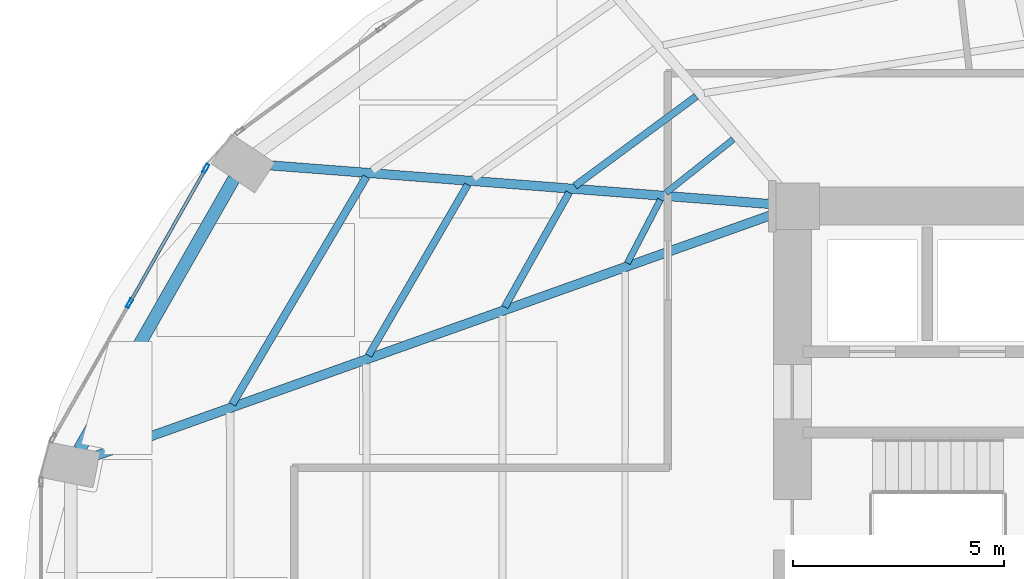
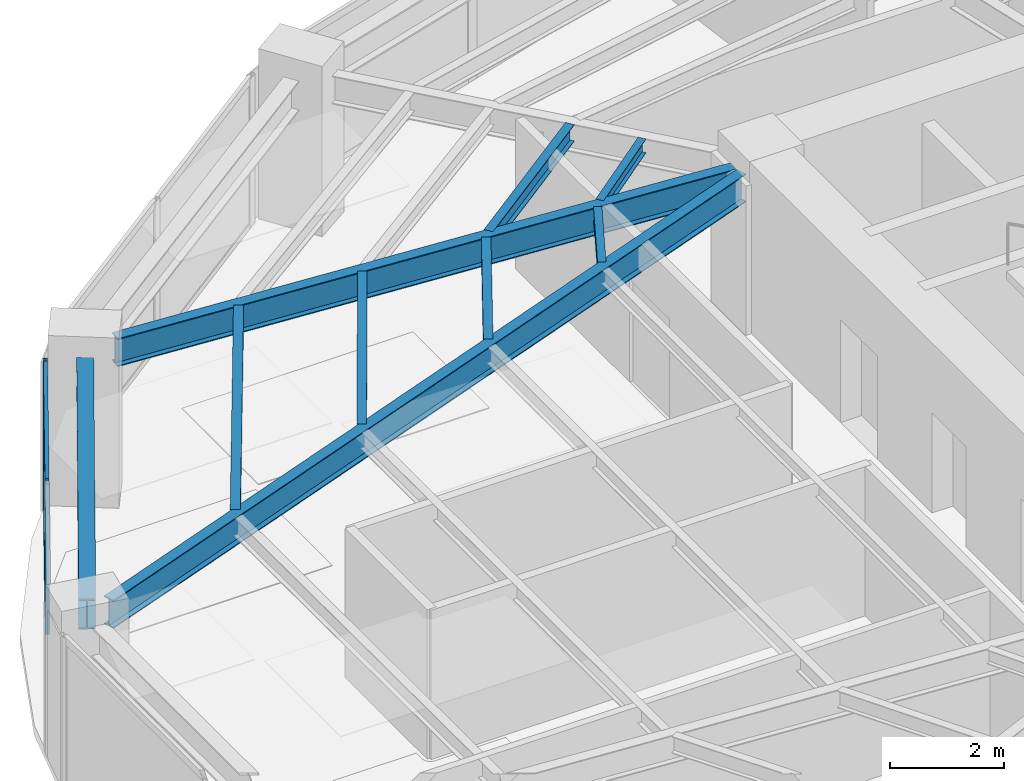
# One storey, part 8 of 24: 9 beams, 4 members, 1 element without a shape of its own.
"""IFC4 building model written with IfcOpenShell, lengths in metres."""

import ifcopenshell
import ifcopenshell.guid

model = None  # the IFC model being written
_history = None  # IfcOwnerHistory: only IFC2X3 demands one
_inside = {}  # id of a spatial element -> (the spatial element, [elements in it])
_under = {}  # id of a project, library or spatial element -> (it, [spatial elements below it])
_declared = {}  # id of a project -> (the project, [libraries it declares])
_typed = {}  # id of a type object -> (the type object, [elements of that type])
_made_of = {}  # id of a material, layer set ... -> (it, [elements and type objects made of it])


def new_model(schema):
    """Start an empty IFC model of exactly this schema.

    Asked for "IFC4X3", IfcOpenShell would pick the latest addendum, in which some entities
    have other attributes; the version numbers below select the first issue.
    IFC2X3 requires an IfcOwnerHistory on every rooted entity: one is made here for all.
    """
    global model, _history
    if schema == "IFC4X3":
        model = ifcopenshell.file(schema_version=(4, 3, 0, 0))
    else:
        model = ifcopenshell.file(schema=schema)
    _inside.clear()
    _under.clear()
    _declared.clear()
    _typed.clear()
    _made_of.clear()
    _history = None
    if model.schema == "IFC2X3":
        org = make("IfcOrganization", Name="unknown")
        user = make(
            "IfcPersonAndOrganization",
            ThePerson=make("IfcPerson", FamilyName="unknown"),
            TheOrganization=org,
        )
        app = make(
            "IfcApplication",
            ApplicationDeveloper=org,
            Version="unknown",
            ApplicationFullName="unknown",
            ApplicationIdentifier="unknown",
        )
        _history = make(
            "IfcOwnerHistory",
            OwningUser=user,
            OwningApplication=app,
            ChangeAction="ADDED",
            CreationDate=0,
        )
    return model


def make(cls, **values):
    """One entity of the class cls with the attributes given. An attribute that is None is left unset."""
    return model.create_entity(
        cls, **{name: value for name, value in values.items() if value is not None}
    )


def rooted(cls, **values):
    """An entity with a GlobalId (a new one), such as an element, a storey or a relation."""
    return make(cls, GlobalId=ifcopenshell.guid.new(), OwnerHistory=_history, **values)


def si_unit(unit_type, name, prefix=None):
    """IfcSIUnit, for example si_unit("LENGTHUNIT", "METRE", prefix="MILLI")."""
    return make("IfcSIUnit", UnitType=unit_type, Prefix=prefix, Name=name)


def assignment(units):
    """IfcUnitAssignment: the units of a project."""
    return None if units is None else make("IfcUnitAssignment", Units=units)


def point(xyz):
    """IfcCartesianPoint."""
    return None if xyz is None else make("IfcCartesianPoint", Coordinates=xyz)


def direction(xyz):
    """IfcDirection."""
    return None if xyz is None else make("IfcDirection", DirectionRatios=xyz)


def frame(location, z_axis=None, x_axis=None):
    """IfcAxis2Placement3D, a coordinate frame: its origin and axes. An axis left out is left unset."""
    return make(
        "IfcAxis2Placement3D",
        Location=point(location),
        Axis=direction(z_axis),
        RefDirection=direction(x_axis),
    )


def frame_2d(location, x_axis=None):
    """IfcAxis2Placement2D, a coordinate frame in the plane: its origin and x axis."""
    return make(
        "IfcAxis2Placement2D", Location=point(location), RefDirection=direction(x_axis)
    )


def origin():
    """The frame at (0, 0, 0) with its axes left unset."""
    return frame((0.0, 0.0, 0.0))


def origin_2d():
    """The frame at (0, 0) in the plane with its x axis left unset."""
    return frame_2d((0.0, 0.0))


def place(relative_to, where):
    """IfcLocalPlacement: puts the frame where relative to a parent placement (None: the world)."""
    return make(
        "IfcLocalPlacement", PlacementRelTo=relative_to, RelativePlacement=where
    )


def context(
    kind, dimensions, precision=None, world=None, true_north=None, identifier=None
):
    """IfcGeometricRepresentationContext, for example the 3D "Model" context."""
    return make(
        "IfcGeometricRepresentationContext",
        ContextIdentifier=identifier,
        ContextType=kind,
        CoordinateSpaceDimension=dimensions,
        Precision=precision,
        WorldCoordinateSystem=world,
        TrueNorth=true_north,
    )


def subcontext(parent, identifier, kind, view, scale=None):
    """IfcGeometricRepresentationSubContext, for example "Body" below "Model"."""
    return make(
        "IfcGeometricRepresentationSubContext",
        ContextIdentifier=identifier,
        ContextType=kind,
        ParentContext=parent,
        TargetScale=scale,
        TargetView=view,
    )


def project(units=None, contexts=None):
    """IfcProject with its units and contexts."""
    return rooted(
        "IfcProject",
        Name="project",
        RepresentationContexts=contexts,
        UnitsInContext=assignment(units),
    )


def spatial(cls, under=None, at=None, **own):
    """A site, building, storey or space (cls), placed at a placement, below another one or the project."""
    s = rooted(cls, ObjectPlacement=at, **own)
    if under is not None:
        _under.setdefault(under.id(), (under, []))[1].append(s)
    return s


def profile(cls, at=None, kind="AREA", **sizes):
    """A parametric profile (cls). Its sizes go by their IFC names, for example OverallWidth=200.0."""
    return make(cls, ProfileType=kind, Position=at, **sizes)


def hollow_rectangle(**sizes):
    """IfcRectangleHollowProfileDef."""
    return profile("IfcRectangleHollowProfileDef", **sizes)


def i_section(**sizes):
    """IfcIShapeProfileDef."""
    return profile("IfcIShapeProfileDef", **sizes)


def extrude(swept, where, along, depth):
    """IfcExtrudedAreaSolid: the profile swept, set in the frame where, extruded along a direction by depth."""
    return make(
        "IfcExtrudedAreaSolid",
        SweptArea=swept,
        Position=where,
        ExtrudedDirection=direction(along),
        Depth=depth,
    )


def shape(context_of_items, identifier, shape_type, items):
    """IfcShapeRepresentation: the items that make up one representation, for example the "Body"."""
    return make(
        "IfcShapeRepresentation",
        ContextOfItems=context_of_items,
        RepresentationIdentifier=identifier,
        RepresentationType=shape_type,
        Items=items,
    )


def material(Name=None, Category=None):
    """IfcMaterial."""
    return make("IfcMaterial", Name=Name, Category=Category)


def layer(
    of_material, thickness, ventilated=None, Name=None, Category=None, Priority=None
):
    """IfcMaterialLayer: one layer of a wall or slab, of a material (None: an air gap)."""
    return make(
        "IfcMaterialLayer",
        Material=of_material,
        LayerThickness=thickness,
        IsVentilated=ventilated,
        Name=Name,
        Category=Category,
        Priority=Priority,
    )


def layer_set(layers, Name=None):
    """IfcMaterialLayerSet."""
    return make("IfcMaterialLayerSet", MaterialLayers=layers, LayerSetName=Name)


def material_profile(
    of_material, cross_section, Name=None, Category=None, Priority=None
):
    """IfcMaterialProfile: a cross section and its material."""
    return make(
        "IfcMaterialProfile",
        Name=Name,
        Material=of_material,
        Profile=cross_section,
        Priority=Priority,
        Category=Category,
    )


def profile_set(profiles, Name=None, composite=None):
    """IfcMaterialProfileSet."""
    return make(
        "IfcMaterialProfileSet",
        Name=Name,
        MaterialProfiles=profiles,
        CompositeProfile=composite,
    )


def made_of(thing, what):
    """Note that an element or type object is made of a material, layer set ...; save() writes the relation."""
    if what is not None:
        _made_of.setdefault(what.id(), (what, []))[1].append(thing)
    return thing


def type_object(cls, material=None, **own):
    """A type object (cls), such as IfcWallType, which elements share."""
    return made_of(rooted(cls, **own), material)


def element(
    cls,
    number,
    at=None,
    inside=None,
    cuts=None,
    type_object=None,
    material=None,
    context=None,
    identifier="Body",
    shape_type=None,
    held_by="IfcProductDefinitionShape",
    body=None,
    shapes=None,
    **own,
):
    """One element of the class cls, such as IfcWall. Its Tag is "e" and its number.

    at: its placement. inside: the storey or other place that contains it. cuts: it is an
    opening in that element (IfcRelVoidsElement). A single representation is given by context,
    identifier, shape_type and body (its items); several are given by shapes. held_by: the class
    of the entity that holds the representations. save() writes the other relations.
    """
    e = rooted(cls, Tag="e%d" % number, ObjectPlacement=at, **own)
    if body is not None:
        shapes = [shape(context, identifier, shape_type, body)]
    if shapes is not None:
        e.Representation = make(held_by, Representations=shapes)
    if inside is not None:
        _inside.setdefault(inside.id(), (inside, []))[1].append(e)
    if cuts is not None:
        rooted(
            "IfcRelVoidsElement", RelatingBuildingElement=cuts, RelatedOpeningElement=e
        )
    if type_object is not None:
        _typed.setdefault(type_object.id(), (type_object, []))[1].append(e)
    return made_of(e, material)


def aggregate(whole, parts):
    """IfcRelAggregates: a whole, such as a stair, and the parts it consists of."""
    return rooted("IfcRelAggregates", RelatingObject=whole, RelatedObjects=parts)


def save(model, path):
    """Write the relations noted so far, then the file.

    IfcRelAggregates (storeys below a building ...), IfcRelContainedInSpatialStructure (elements
    in a storey), IfcRelDefinesByType, IfcRelAssociatesMaterial and IfcRelDeclares: one each for
    every whole, place, type object, material and project.
    """
    for whole, parts in _under.values():
        aggregate(whole, parts)
    for where, things in _inside.values():
        rooted(
            "IfcRelContainedInSpatialStructure",
            RelatedElements=things,
            RelatingStructure=where,
        )
    for kind, things in _typed.values():
        rooted("IfcRelDefinesByType", RelatedObjects=things, RelatingType=kind)
    for what, things in _made_of.values():
        rooted("IfcRelAssociatesMaterial", RelatedObjects=things, RelatingMaterial=what)
    for by, libraries in _declared.values():
        rooted("IfcRelDeclares", RelatingContext=by, RelatedDefinitions=libraries)
    model.write(path)


model = new_model("IFC4")

# Units and contexts
model_context = context("Model", 3, precision=1e-05, world=origin(), true_north=direction((0.0, 1.0)))
body_context = subcontext(model_context, "Body", "Model", "MODEL_VIEW")
ifc_project = project(units=[si_unit("LENGTHUNIT", "METRE"), si_unit("AREAUNIT", "SQUARE_METRE"), si_unit("VOLUMEUNIT", "CUBIC_METRE"), si_unit("PLANEANGLEUNIT", "RADIAN"), si_unit("MASSUNIT", "GRAM", prefix="KILO")], contexts=[model_context])

# Site, building, storey
site_placement = place(None, origin())
site = spatial("IfcSite", under=ifc_project, at=site_placement, CompositionType="ELEMENT")
building_placement = place(site_placement, origin())
building = spatial("IfcBuilding", under=site, at=building_placement, Name="Lazwardi Medical Tower", CompositionType="ELEMENT")
storey_placement = place(building_placement, frame((0.0, 0.0, 72.6240234375)))
storey = spatial("IfcBuildingStorey", under=building, at=storey_placement, Name="L18", CompositionType="ELEMENT", Elevation=72.6240234375)

# Beams
ifc_material_1 = material(Name="Steel S355", Category="steel")
ifc_material_profile_1 = material_profile(ifc_material_1, i_section(OverallWidth=0.300048828125, OverallDepth=0.64990234375, WebThickness=0.01611328125, FlangeThickness=0.031005859375, at=origin_2d()), Name="HEB 650")
ifc_profile_set_1 = profile_set([ifc_material_profile_1], Name="Steel S355")
beam_type_1 = type_object("IfcBeamType", Name="BM-RB-Z1", PredefinedType="BEAM", material=ifc_profile_set_1)
beam_1_placement = place(storey_placement, frame((13.072021484375, 36.24951171875, 2.873046875), z_axis=(-0.495829348644, -0.868419977328, 0.0), x_axis=(0.868419977328, -0.495829348644, 0.0)))
element("IfcBeam", 1, at=beam_1_placement, inside=storey, type_object=beam_type_1, Name="Ring beam RB-02 B11 L18", PredefinedType="BEAM", context=body_context, shape_type="SweptSolid", body=[
    extrude(i_section(OverallWidth=0.300048828125, OverallDepth=0.64990234375, WebThickness=0.01611328125, FlangeThickness=0.031005859375, at=origin_2d()), origin(), (0.0, 0.0, 1.0), 7.38916015625),
])
ifc_material_profile_2 = material_profile(ifc_material_1, i_section(OverallWidth=0.219970703125, OverallDepth=0.60009765625, WebThickness=0.011962890625, FlangeThickness=0.01904296875, at=origin_2d()), Name="IPE 600")
ifc_profile_set_2 = profile_set([ifc_material_profile_2], Name="Steel S355")
beam_type_2 = type_object("IfcBeamType", Name="BM-RG-W1", PredefinedType="BEAM", material=ifc_profile_set_2)
beam_2_placement = place(storey_placement, frame((13.8583984375, 36.569580078125, 2.89794921875), z_axis=(0.997024241118, -0.077088667283, 0.0), x_axis=(0.077088667283, 0.997024241118, 0.0)))
element("IfcBeam", 2, at=beam_2_placement, inside=storey, type_object=beam_type_2, Name="Radial girder RG-02 R11 L18", PredefinedType="BEAM", context=body_context, shape_type="SweptSolid", body=[
    extrude(i_section(OverallWidth=0.219970703125, OverallDepth=0.60009765625, WebThickness=0.011962890625, FlangeThickness=0.01904296875, at=origin_2d()), origin(), (0.0, 0.0, 1.0), 12.044189453125),
])
beam_3_placement = place(storey_placement, frame((9.746337890625, 29.66259765625, 2.89794921875), z_axis=(0.941925080425, 0.335823082688, 0.0), x_axis=(-0.335823082688, 0.941925080425, 0.0)))
element("IfcBeam", 3, at=beam_3_placement, inside=storey, type_object=beam_type_2, Name="Radial girder RG-02 R12 L18", PredefinedType="BEAM", context=body_context, shape_type="SweptSolid", body=[
    extrude(i_section(OverallWidth=0.219970703125, OverallDepth=0.60009765625, WebThickness=0.011962890625, FlangeThickness=0.01904296875, at=origin_2d()), origin(), (0.0, 0.0, 1.0), 17.145263671875),
])
ifc_material_profile_3 = material_profile(ifc_material_1, i_section(OverallWidth=0.179931640625, OverallDepth=0.39990234375, WebThickness=0.008544921875, FlangeThickness=0.013427734375, at=origin_2d()), Name="IPE 400")
ifc_profile_set_3 = profile_set([ifc_material_profile_3], Name="Steel S355")
beam_type_3 = type_object("IfcBeamType", Name="BM-SJ-01", PredefinedType="JOIST", material=ifc_profile_set_3)
beam_4_placement = place(storey_placement, frame((16.206787109375, 36.29345703125, 2.998046875), z_axis=(-0.507886270937, -0.861424132349, 0.0), x_axis=(0.861424132349, -0.507886270937, 0.0)))
element("IfcBeam", 4, at=beam_4_placement, inside=storey, type_object=beam_type_3, Name="Secondary joist SJ-01 R1 B11 L18", PredefinedType="JOIST", context=body_context, shape_type="SweptSolid", body=[
    extrude(i_section(OverallWidth=0.179931640625, OverallDepth=0.39990234375, WebThickness=0.008544921875, FlangeThickness=0.013427734375, at=origin_2d()), origin(), (0.0, 0.0, 1.0), 6.255859375),
])
ifc_material_profile_4 = material_profile(ifc_material_1, i_section(OverallWidth=0.169921875, OverallDepth=0.360107421875, WebThickness=0.008056640625, FlangeThickness=0.0126953125, at=origin_2d()), Name="IPE 360")
ifc_profile_set_4 = profile_set([ifc_material_profile_4], Name="Steel S355")
beam_type_4 = type_object("IfcBeamType", Name="BM-SJ-02", PredefinedType="JOIST", material=ifc_profile_set_4)
beam_5_placement = place(storey_placement, frame((18.60888671875, 36.107421875, 3.01806640625), z_axis=(-0.501798442848, -0.86498457949, 0.0), x_axis=(0.86498457949, -0.501798442848, 0.0)))
element("IfcBeam", 5, at=beam_5_placement, inside=storey, type_object=beam_type_4, Name="Secondary joist SJ-02 R2 B11 L18", PredefinedType="JOIST", context=body_context, shape_type="SweptSolid", body=[
    extrude(i_section(OverallWidth=0.169921875, OverallDepth=0.360107421875, WebThickness=0.008056640625, FlangeThickness=0.0126953125, at=origin_2d()), origin(), (0.0, 0.0, 1.0), 4.683349609375),
])
beam_6_placement = place(storey_placement, frame((24.025146484375, 38.19873046875, 3.01806640625), z_axis=(-0.804580292353, -0.593843879448, 0.0), x_axis=(0.593843879448, -0.804580292353, 0.0)))
element("IfcBeam", 6, at=beam_6_placement, inside=storey, type_object=beam_type_4, Name="Secondary joist SJ-02 R3 B10 L18", PredefinedType="JOIST", context=body_context, shape_type="SweptSolid", body=[
    extrude(i_section(OverallWidth=0.169921875, OverallDepth=0.360107421875, WebThickness=0.008056640625, FlangeThickness=0.0126953125, at=origin_2d()), origin(), (0.0, 0.0, 1.0), 3.576416015625),
])
beam_7_placement = place(storey_placement, frame((21.011962890625, 35.9208984375, 3.01806640625), z_axis=(-0.489974339037, -0.87173685656, 0.0), x_axis=(0.87173685656, -0.489974339037, 0.0)))
element("IfcBeam", 7, at=beam_7_placement, inside=storey, type_object=beam_type_4, Name="Secondary joist SJ-02 R3 B11 L18", PredefinedType="JOIST", context=body_context, shape_type="SweptSolid", body=[
    extrude(i_section(OverallWidth=0.169921875, OverallDepth=0.360107421875, WebThickness=0.008056640625, FlangeThickness=0.0126953125, at=origin_2d()), origin(), (0.0, 0.0, 1.0), 3.111328125),
])
ifc_material_profile_5 = material_profile(ifc_material_1, i_section(OverallWidth=0.14990234375, OverallDepth=0.300048828125, WebThickness=0.007080078125, FlangeThickness=0.0107421875, at=origin_2d()), Name="IPE 300")
ifc_profile_set_5 = profile_set([ifc_material_profile_5], Name="Steel S355")
beam_type_5 = type_object("IfcBeamType", Name="BM-SJ-03", PredefinedType="JOIST", material=ifc_profile_set_5)
beam_8_placement = place(storey_placement, frame((24.901123046875, 37.1806640625, 3.048095703125), z_axis=(-0.782210957226, -0.623013658274, 0.0), x_axis=(0.623013658274, -0.782210957226, 0.0)))
element("IfcBeam", 8, at=beam_8_placement, inside=storey, type_object=beam_type_5, Name="Secondary joist SJ-03 R4 B10 L18", PredefinedType="JOIST", context=body_context, shape_type="SweptSolid", body=[
    extrude(i_section(OverallWidth=0.14990234375, OverallDepth=0.300048828125, WebThickness=0.007080078125, FlangeThickness=0.0107421875, at=origin_2d()), origin(), (0.0, 0.0, 1.0), 2.0380859375),
])
beam_9_placement = place(storey_placement, frame((23.17626953125, 35.752197265625, 3.048095703125), z_axis=(-0.462162985948, -0.88679500135, 0.0), x_axis=(0.88679500135, -0.462162985948, 0.0)))
element("IfcBeam", 9, at=beam_9_placement, inside=storey, type_object=beam_type_5, Name="Secondary joist SJ-03 R4 B11 L18", PredefinedType="JOIST", context=body_context, shape_type="SweptSolid", body=[
    extrude(i_section(OverallWidth=0.14990234375, OverallDepth=0.300048828125, WebThickness=0.007080078125, FlangeThickness=0.0107421875, at=origin_2d()), origin(), (0.0, 0.0, 1.0), 1.69775390625),
])

# Curtain wall, members
ifc_material_2 = material(Name="Anodised bronze aluminium and solar control glazing", Category="aluminium")
ifc_layer = layer(ifc_material_2, 0.199951171875)
ifc_layer_set = layer_set([ifc_layer], Name="Anodised bronze aluminium and solar control glazing")
curtain_wall_type = type_object("IfcCurtainWallType", Name="CW-SYS-02", PredefinedType="NOTDEFINED", material=ifc_layer_set)
curtain_wall_placement = place(storey_placement, origin())
curtain_wall = element("IfcCurtainWall", 10, at=curtain_wall_placement, inside=storey, type_object=curtain_wall_type, Name="L18 Unitised bronze curtain wall CW-02", PredefinedType="NOTDEFINED")
ifc_material_3 = material(Name="Anodised bronze aluminium", Category="aluminium")
ifc_material_profile_6 = material_profile(ifc_material_3, hollow_rectangle(XDim=0.074951171875, YDim=0.219970703125, WallThickness=0.00390625, at=origin_2d()), Name="ALU-MULLION 220x75x4")
ifc_profile_set_6 = profile_set([ifc_material_profile_6], Name="Anodised bronze aluminium")
member_type_1 = type_object("IfcMemberType", Name="CW-MUL-01", PredefinedType="MULLION", material=ifc_profile_set_6)
member_1_placement = place(storey_placement, frame((12.4033203125, 36.488525390625, 0.0), z_axis=(0.0, 0.0, 1.0), x_axis=(0.870111838823, -0.492854327303, 0.0)))
member_1 = element("IfcMember", 11, at=member_1_placement, type_object=member_type_1, Name="CW-02 mullion 1", PredefinedType="MULLION", context=body_context, shape_type="SweptSolid", body=[
    extrude(hollow_rectangle(XDim=0.074951171875, YDim=0.219970703125, WallThickness=0.00390625, at=origin_2d()), origin(), (0.0, 0.0, 1.0), 3.197998046875),
])
member_2_placement = place(storey_placement, frame((10.5947265625, 33.29541015625, 0.0), z_axis=(0.0, 0.0, 1.0), x_axis=(0.870111838823, -0.492854327303, 0.0)))
member_2 = element("IfcMember", 12, at=member_2_placement, type_object=member_type_1, Name="CW-02 mullion 2", PredefinedType="MULLION", context=body_context, shape_type="SweptSolid", body=[
    extrude(hollow_rectangle(XDim=0.074951171875, YDim=0.219970703125, WallThickness=0.00390625, at=origin_2d()), origin(), (0.0, 0.0, 1.0), 3.197998046875),
])
ifc_material_profile_7 = material_profile(ifc_material_3, hollow_rectangle(XDim=0.074951171875, YDim=0.159912109375, WallThickness=0.00390625, at=origin_2d()), Name="ALU-TRANSOM 160x75x4")
ifc_profile_set_7 = profile_set([ifc_material_profile_7], Name="Anodised bronze aluminium")
member_type_2 = type_object("IfcMemberType", Name="CW-TRN-01", PredefinedType="USERDEFINED", material=ifc_profile_set_7)
member_3_placement = place(storey_placement, frame((12.384765625, 36.4560546875, 0.03759765625), z_axis=(-0.49285148925, -0.870113446365, 0.0), x_axis=(0.870113446365, -0.49285148925, 0.0)))
member_3 = element("IfcMember", 13, at=member_3_placement, type_object=member_type_2, Name="CW-02 transom 1.1", ObjectType="TRANSOM", PredefinedType="USERDEFINED", context=body_context, shape_type="SweptSolid", body=[
    extrude(hollow_rectangle(XDim=0.074951171875, YDim=0.159912109375, WallThickness=0.00390625, at=origin_2d()), origin(), (0.0, 0.0, 1.0), 3.594970703125),
])
member_4_placement = place(storey_placement, frame((12.384765625, 36.4560546875, 3.160400390625), z_axis=(-0.49285148925, -0.870113446365, 0.0), x_axis=(0.870113446365, -0.49285148925, 0.0)))
member_4 = element("IfcMember", 14, at=member_4_placement, type_object=member_type_2, Name="CW-02 transom 1.2", ObjectType="TRANSOM", PredefinedType="USERDEFINED", context=body_context, shape_type="SweptSolid", body=[
    extrude(hollow_rectangle(XDim=0.074951171875, YDim=0.159912109375, WallThickness=0.00390625, at=origin_2d()), origin(), (0.0, 0.0, 1.0), 3.594970703125),
])
aggregate(curtain_wall, [member_1, member_2, member_3, member_4])

save(model, "model.ifc")
